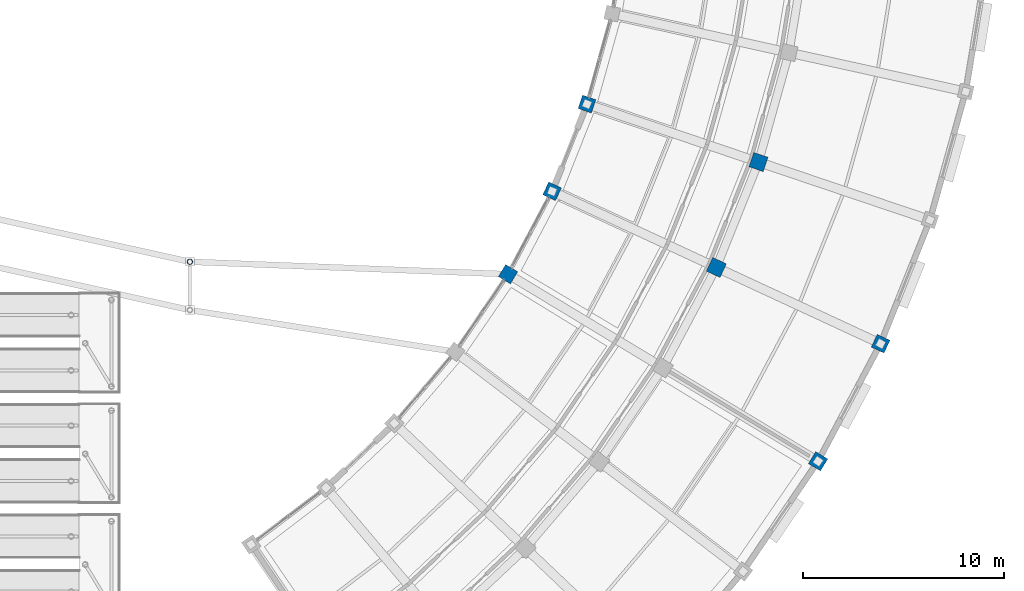
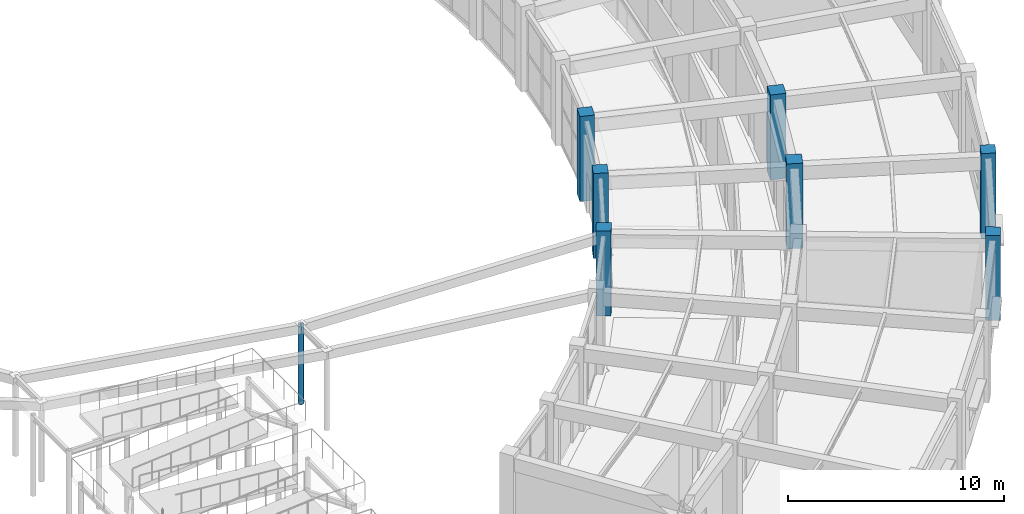
# One storey, part 16 of 108: 8 columns.
"""IFC4 building model written with IfcOpenShell, lengths in metres."""

import ifcopenshell
import ifcopenshell.guid

model = None  # the IFC model being written
_history = None  # IfcOwnerHistory: only IFC2X3 demands one
_inside = {}  # id of a spatial element -> (the spatial element, [elements in it])
_under = {}  # id of a project, library or spatial element -> (it, [spatial elements below it])
_declared = {}  # id of a project -> (the project, [libraries it declares])
_typed = {}  # id of a type object -> (the type object, [elements of that type])
_made_of = {}  # id of a material, layer set ... -> (it, [elements and type objects made of it])


def new_model(schema):
    """Start an empty IFC model of exactly this schema.

    Asked for "IFC4X3", IfcOpenShell would pick the latest addendum, in which some entities
    have other attributes; the version numbers below select the first issue.
    IFC2X3 requires an IfcOwnerHistory on every rooted entity: one is made here for all.
    """
    global model, _history
    if schema == "IFC4X3":
        model = ifcopenshell.file(schema_version=(4, 3, 0, 0))
    else:
        model = ifcopenshell.file(schema=schema)
    _inside.clear()
    _under.clear()
    _declared.clear()
    _typed.clear()
    _made_of.clear()
    _history = None
    if model.schema == "IFC2X3":
        org = make("IfcOrganization", Name="unknown")
        user = make(
            "IfcPersonAndOrganization",
            ThePerson=make("IfcPerson", FamilyName="unknown"),
            TheOrganization=org,
        )
        app = make(
            "IfcApplication",
            ApplicationDeveloper=org,
            Version="unknown",
            ApplicationFullName="unknown",
            ApplicationIdentifier="unknown",
        )
        _history = make(
            "IfcOwnerHistory",
            OwningUser=user,
            OwningApplication=app,
            ChangeAction="ADDED",
            CreationDate=0,
        )
    return model


def make(cls, **values):
    """One entity of the class cls with the attributes given. An attribute that is None is left unset."""
    return model.create_entity(
        cls, **{name: value for name, value in values.items() if value is not None}
    )


def rooted(cls, **values):
    """An entity with a GlobalId (a new one), such as an element, a storey or a relation."""
    return make(cls, GlobalId=ifcopenshell.guid.new(), OwnerHistory=_history, **values)


def si_unit(unit_type, name, prefix=None):
    """IfcSIUnit, for example si_unit("LENGTHUNIT", "METRE", prefix="MILLI")."""
    return make("IfcSIUnit", UnitType=unit_type, Prefix=prefix, Name=name)


def assignment(units):
    """IfcUnitAssignment: the units of a project."""
    return None if units is None else make("IfcUnitAssignment", Units=units)


def point(xyz):
    """IfcCartesianPoint."""
    return None if xyz is None else make("IfcCartesianPoint", Coordinates=xyz)


def direction(xyz):
    """IfcDirection."""
    return None if xyz is None else make("IfcDirection", DirectionRatios=xyz)


def frame(location, z_axis=None, x_axis=None):
    """IfcAxis2Placement3D, a coordinate frame: its origin and axes. An axis left out is left unset."""
    return make(
        "IfcAxis2Placement3D",
        Location=point(location),
        Axis=direction(z_axis),
        RefDirection=direction(x_axis),
    )


def frame_2d(location, x_axis=None):
    """IfcAxis2Placement2D, a coordinate frame in the plane: its origin and x axis."""
    return make(
        "IfcAxis2Placement2D", Location=point(location), RefDirection=direction(x_axis)
    )


def origin():
    """The frame at (0, 0, 0) with its axes left unset."""
    return frame((0.0, 0.0, 0.0))


def origin_2d():
    """The frame at (0, 0) in the plane with its x axis left unset."""
    return frame_2d((0.0, 0.0))


def place(relative_to, where):
    """IfcLocalPlacement: puts the frame where relative to a parent placement (None: the world)."""
    return make(
        "IfcLocalPlacement", PlacementRelTo=relative_to, RelativePlacement=where
    )


def context(
    kind, dimensions, precision=None, world=None, true_north=None, identifier=None
):
    """IfcGeometricRepresentationContext, for example the 3D "Model" context."""
    return make(
        "IfcGeometricRepresentationContext",
        ContextIdentifier=identifier,
        ContextType=kind,
        CoordinateSpaceDimension=dimensions,
        Precision=precision,
        WorldCoordinateSystem=world,
        TrueNorth=true_north,
    )


def subcontext(parent, identifier, kind, view, scale=None):
    """IfcGeometricRepresentationSubContext, for example "Body" below "Model"."""
    return make(
        "IfcGeometricRepresentationSubContext",
        ContextIdentifier=identifier,
        ContextType=kind,
        ParentContext=parent,
        TargetScale=scale,
        TargetView=view,
    )


def project(units=None, contexts=None):
    """IfcProject with its units and contexts."""
    return rooted(
        "IfcProject",
        Name="project",
        RepresentationContexts=contexts,
        UnitsInContext=assignment(units),
    )


def spatial(cls, under=None, at=None, **own):
    """A site, building, storey or space (cls), placed at a placement, below another one or the project."""
    s = rooted(cls, ObjectPlacement=at, **own)
    if under is not None:
        _under.setdefault(under.id(), (under, []))[1].append(s)
    return s


def profile(cls, at=None, kind="AREA", **sizes):
    """A parametric profile (cls). Its sizes go by their IFC names, for example OverallWidth=200.0."""
    return make(cls, ProfileType=kind, Position=at, **sizes)


def rectangle(**sizes):
    """IfcRectangleProfileDef."""
    return profile("IfcRectangleProfileDef", **sizes)


def hollow_circle(**sizes):
    """IfcCircleHollowProfileDef."""
    return profile("IfcCircleHollowProfileDef", **sizes)


def extrude(swept, where, along, depth):
    """IfcExtrudedAreaSolid: the profile swept, set in the frame where, extruded along a direction by depth."""
    return make(
        "IfcExtrudedAreaSolid",
        SweptArea=swept,
        Position=where,
        ExtrudedDirection=direction(along),
        Depth=depth,
    )


def shape(context_of_items, identifier, shape_type, items):
    """IfcShapeRepresentation: the items that make up one representation, for example the "Body"."""
    return make(
        "IfcShapeRepresentation",
        ContextOfItems=context_of_items,
        RepresentationIdentifier=identifier,
        RepresentationType=shape_type,
        Items=items,
    )


def material(Name=None, Category=None):
    """IfcMaterial."""
    return make("IfcMaterial", Name=Name, Category=Category)


def material_profile(
    of_material, cross_section, Name=None, Category=None, Priority=None
):
    """IfcMaterialProfile: a cross section and its material."""
    return make(
        "IfcMaterialProfile",
        Name=Name,
        Material=of_material,
        Profile=cross_section,
        Priority=Priority,
        Category=Category,
    )


def profile_set(profiles, Name=None, composite=None):
    """IfcMaterialProfileSet."""
    return make(
        "IfcMaterialProfileSet",
        Name=Name,
        MaterialProfiles=profiles,
        CompositeProfile=composite,
    )


def made_of(thing, what):
    """Note that an element or type object is made of a material, layer set ...; save() writes the relation."""
    if what is not None:
        _made_of.setdefault(what.id(), (what, []))[1].append(thing)
    return thing


def type_object(cls, material=None, **own):
    """A type object (cls), such as IfcWallType, which elements share."""
    return made_of(rooted(cls, **own), material)


def element(
    cls,
    number,
    at=None,
    inside=None,
    cuts=None,
    type_object=None,
    material=None,
    context=None,
    identifier="Body",
    shape_type=None,
    held_by="IfcProductDefinitionShape",
    body=None,
    shapes=None,
    **own,
):
    """One element of the class cls, such as IfcWall. Its Tag is "e" and its number.

    at: its placement. inside: the storey or other place that contains it. cuts: it is an
    opening in that element (IfcRelVoidsElement). A single representation is given by context,
    identifier, shape_type and body (its items); several are given by shapes. held_by: the class
    of the entity that holds the representations. save() writes the other relations.
    """
    e = rooted(cls, Tag="e%d" % number, ObjectPlacement=at, **own)
    if body is not None:
        shapes = [shape(context, identifier, shape_type, body)]
    if shapes is not None:
        e.Representation = make(held_by, Representations=shapes)
    if inside is not None:
        _inside.setdefault(inside.id(), (inside, []))[1].append(e)
    if cuts is not None:
        rooted(
            "IfcRelVoidsElement", RelatingBuildingElement=cuts, RelatedOpeningElement=e
        )
    if type_object is not None:
        _typed.setdefault(type_object.id(), (type_object, []))[1].append(e)
    return made_of(e, material)


def aggregate(whole, parts):
    """IfcRelAggregates: a whole, such as a stair, and the parts it consists of."""
    return rooted("IfcRelAggregates", RelatingObject=whole, RelatedObjects=parts)


def save(model, path):
    """Write the relations noted so far, then the file.

    IfcRelAggregates (storeys below a building ...), IfcRelContainedInSpatialStructure (elements
    in a storey), IfcRelDefinesByType, IfcRelAssociatesMaterial and IfcRelDeclares: one each for
    every whole, place, type object, material and project.
    """
    for whole, parts in _under.values():
        aggregate(whole, parts)
    for where, things in _inside.values():
        rooted(
            "IfcRelContainedInSpatialStructure",
            RelatedElements=things,
            RelatingStructure=where,
        )
    for kind, things in _typed.values():
        rooted("IfcRelDefinesByType", RelatedObjects=things, RelatingType=kind)
    for what, things in _made_of.values():
        rooted("IfcRelAssociatesMaterial", RelatedObjects=things, RelatingMaterial=what)
    for by, libraries in _declared.values():
        rooted("IfcRelDeclares", RelatingContext=by, RelatedDefinitions=libraries)
    model.write(path)


model = new_model("IFC4")

# Units and contexts
model_context = context("Model", 3, precision=1e-05, world=origin(), true_north=direction((0.0, 1.0)))
body_context = subcontext(model_context, "Body", "Model", "MODEL_VIEW")
ifc_project = project(units=[si_unit("LENGTHUNIT", "METRE"), si_unit("AREAUNIT", "SQUARE_METRE"), si_unit("VOLUMEUNIT", "CUBIC_METRE"), si_unit("PLANEANGLEUNIT", "RADIAN"), si_unit("MASSUNIT", "GRAM", prefix="KILO")], contexts=[model_context])

# Site, building, storey
site_placement = place(None, origin())
site = spatial("IfcSite", under=ifc_project, at=site_placement, CompositionType="ELEMENT")
building_placement = place(site_placement, origin())
building = spatial("IfcBuilding", under=site, at=building_placement, Name="Tarnveldt Headland Concert Hall", CompositionType="ELEMENT")
storey_placement = place(building_placement, origin())
storey = spatial("IfcBuildingStorey", under=building, at=storey_placement, Name="L00", CompositionType="ELEMENT", Elevation=0.0)

# Columns
ifc_material_1 = material(Name="Concrete C40/50", Category="concrete")
ifc_material_profile_1 = material_profile(ifc_material_1, rectangle(XDim=0.699951171875, YDim=0.699951171875, at=origin_2d()), Name="RC 700x700", Category="concrete")
ifc_profile_set_1 = profile_set([ifc_material_profile_1], Name="Concrete C40/50")
column_type_1 = type_object("IfcColumnType", Name="CC-700", PredefinedType="COLUMN", material=ifc_profile_set_1)
for number, where, z_axis, x_axis, name in (
    (1, (154.315185546875, 37.781982421875, 0.0), (0.0, 0.0, 1.0), (0.856176919486, -0.516682767798, 0.0), "Column V3C04IN L00"),
    (2, (169.726318359375, 28.481201171875, 0.0), (0.0, 0.0, 1.0), (0.856176919486, -0.516682767798, 0.0), "Column V3C04OUT L00"),
    (3, (156.50634765625, 41.903076171875, 0.0), (0.0, 0.0, 1.0), (0.907117485088, -0.42087749791, 0.0), "Column V3C05IN L00"),
    (4, (172.834716796875, 34.327392578125, 0.0), (0.0, 0.0, 1.0), (0.907117485088, -0.42087749791, 0.0), "Column V3C05OUT L00"),
    (5, (158.238037109375, 46.2373046875, 0.0), (0.0, 0.0, 1.0), (0.947378020466, -0.320116988518, 0.0), "Column V3C06IN L00"),
):
    element("IfcColumn", number, at=place(storey_placement, frame(where, z_axis=z_axis, x_axis=x_axis)), inside=storey, type_object=column_type_1, Name=name, PredefinedType="COLUMN", context=body_context, shape_type="SweptSolid", body=[
        extrude(rectangle(XDim=0.699951171875, YDim=0.699951171875, at=origin_2d()), origin(), (0.0, 0.0, 1.0), 4.800048828125),
    ])
ifc_material_profile_2 = material_profile(ifc_material_1, rectangle(XDim=0.75, YDim=0.75, at=origin_2d()), Name="RC 750x750", Category="concrete")
ifc_profile_set_2 = profile_set([ifc_material_profile_2], Name="Concrete C40/50")
column_type_2 = type_object("IfcColumnType", Name="CC-750", PredefinedType="COLUMN", material=ifc_profile_set_2)
for number, where, z_axis, x_axis, name in (
    (6, (164.67041015625, 38.115234375, 0.0), (0.0, 0.0, 1.0), (0.907117485088, -0.42087749791, 0.0), "Column V3C05MD L00"),
    (7, (166.7646484375, 43.356689453125, 0.0), (0.0, 0.0, 1.0), (0.947378020466, -0.320116988518, 0.0), "Column V3C06MD L00"),
):
    element("IfcColumn", number, at=place(storey_placement, frame(where, z_axis=z_axis, x_axis=x_axis)), inside=storey, type_object=column_type_2, Name=name, PredefinedType="COLUMN", context=body_context, shape_type="SweptSolid", body=[
        extrude(rectangle(XDim=0.75, YDim=0.75, at=origin_2d()), origin(), (0.0, 0.0, 1.0), 4.800048828125),
    ])
ifc_material_2 = material(Name="Steel S355", Category="steel")
ifc_material_profile_3 = material_profile(ifc_material_2, hollow_circle(Radius=0.136474609375, WallThickness=0.01611328125, at=origin_2d()), Name="CHS 273x16", Category="steel")
ifc_profile_set_3 = profile_set([ifc_material_profile_3], Name="Steel S355")
column_type_3 = type_object("IfcColumnType", Name="SC-CHS273", PredefinedType="COLUMN", material=ifc_profile_set_3)
column_placement = place(storey_placement, frame((138.5, 38.39990234375, 0.0), z_axis=(0.0, 0.0, 1.0), x_axis=(1.0, 0.0, 0.0)))
element("IfcColumn", 8, at=column_placement, inside=storey, type_object=column_type_3, Name="Column BRP04 L00", PredefinedType="COLUMN", context=body_context, shape_type="SweptSolid", body=[
    extrude(hollow_circle(Radius=0.136474609375, WallThickness=0.01611328125, at=origin_2d()), origin(), (0.0, 0.0, 1.0), 4.510009765625),
])

save(model, "model.ifc")
